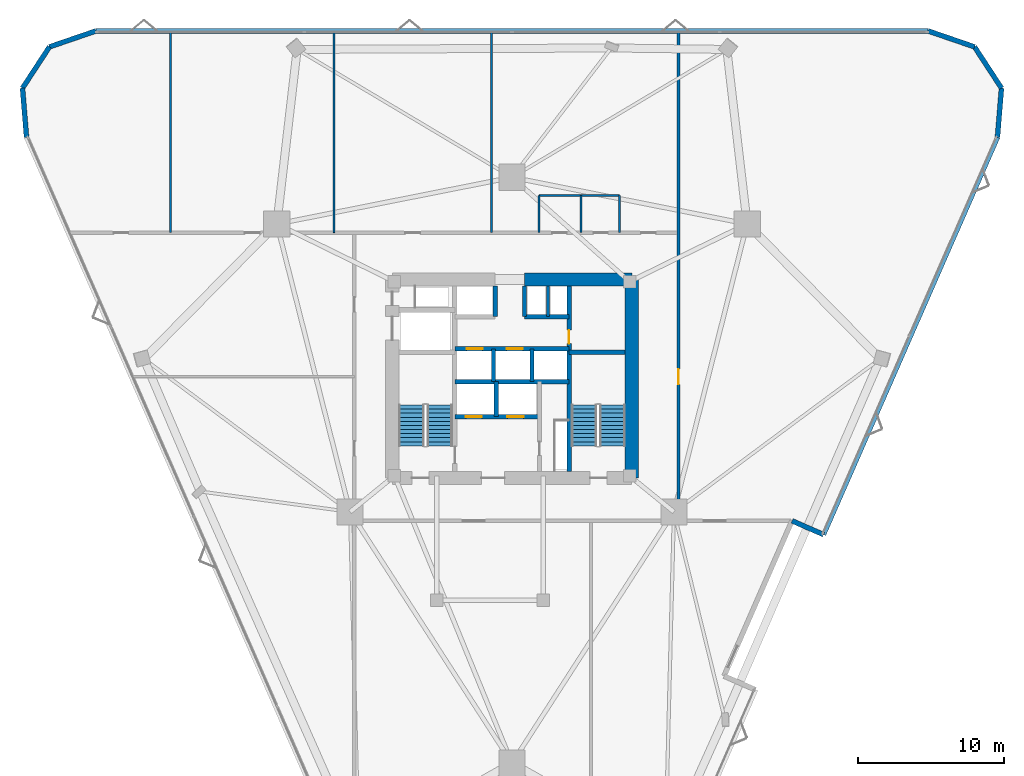
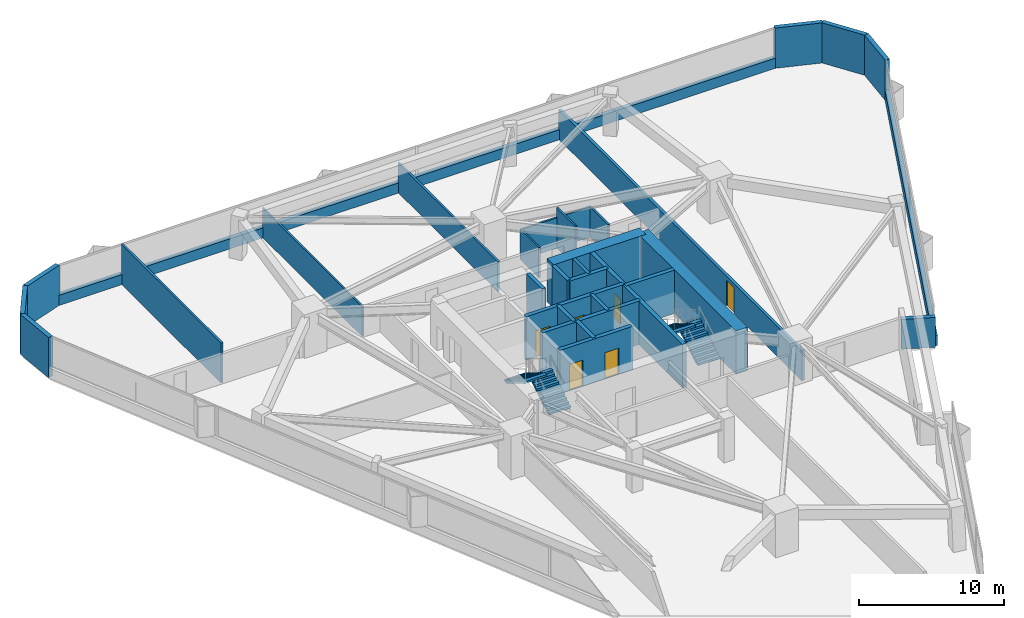
# One storey, part 13 of 14: 31 walls, 6 doors, 4 stair flights, 6 openings, 2 elements without a shape of their own.
"""IFC4 building model written with IfcOpenShell, lengths in metres."""

from ifc_helpers import new_model, si_unit, direction, frame, frame_2d, origin, place, context, subcontext, project, spatial, polyline, rectangle, outline, extrude, material, layer, layer_set, type_object, element, fill, aggregate, save


model = new_model("IFC4")

# Units and contexts
model_context = context("Model", 3, precision=1e-05, world=origin(), true_north=direction((0.0, 1.0)))
body_context = subcontext(model_context, "Body", "Model", "MODEL_VIEW")
ifc_project = project(units=[si_unit("LENGTHUNIT", "METRE"), si_unit("AREAUNIT", "SQUARE_METRE"), si_unit("VOLUMEUNIT", "CUBIC_METRE"), si_unit("PLANEANGLEUNIT", "RADIAN"), si_unit("MASSUNIT", "GRAM", prefix="KILO")], contexts=[model_context])

# Site, building, storey
site_placement = place(None, origin())
site = spatial("IfcSite", under=ifc_project, at=site_placement, CompositionType="ELEMENT")
building_placement = place(site_placement, origin())
building = spatial("IfcBuilding", under=site, at=building_placement, Name="Talyreon Biosciences Tower", CompositionType="ELEMENT")
storey_placement = place(building_placement, frame((0.0, 0.0, 48.35009765625)))
storey = spatial("IfcBuildingStorey", under=building, at=storey_placement, Name="L12", CompositionType="ELEMENT", Elevation=48.35009765625)

# Walls
ifc_material_1 = material(Name="Concrete C50/60", Category="concrete")
ifc_layer_1 = layer(ifc_material_1, 0.219970703125)
ifc_layer_set_1 = layer_set([ifc_layer_1], Name="Concrete C50/60")
wall_type_1 = type_object("IfcWallType", Name="CoreShearWall_220", PredefinedType="SHEAR", material=ifc_layer_set_1)
wall_1_placement = place(storey_placement, frame((68.4599609375, 72.25, 0.0), z_axis=(0.0, 0.0, 1.0), x_axis=(0.0, 1.0, 0.0)))
element("IfcWall", 1, at=wall_1_placement, inside=storey, type_object=wall_type_1, Name="L12 Core Shaft Wall SWPHD", PredefinedType="SHEAR", context=body_context, shape_type="SweptSolid", body=[
    extrude(rectangle(XDim=2.10009765625, YDim=0.219970703125, at=frame_2d((1.050048828125, 0.0))), origin(), (0.0, 0.0, 1.0), 3.64990234375),
])
ifc_layer_2 = layer(ifc_material_1, 0.280029296875)
ifc_layer_set_2 = layer_set([ifc_layer_2], Name="Concrete C50/60")
wall_type_2 = type_object("IfcWallType", Name="CoreShearWall_280", PredefinedType="SHEAR", material=ifc_layer_set_2)
wall_2_placement = place(storey_placement, frame((64.919921875, 65.39990234375, 0.0), z_axis=(0.0, 0.0, 1.0), x_axis=(0.0, 1.0, 0.0)))
element("IfcWall", 2, at=wall_2_placement, inside=storey, type_object=wall_type_2, Name="L12 Core Shaft Wall SWSHD1", PredefinedType="SHEAR", context=body_context, shape_type="SweptSolid", body=[
    extrude(rectangle(XDim=2.400146484375, YDim=0.280029296875, at=frame_2d((1.2001953125, 0.0))), origin(), (0.0, 0.0, 1.0), 3.64990234375),
])
for number, where, z_axis, x_axis, name in (
    (3, (64.85009765625, 72.25, 0.0), (0.0, 0.0, 1.0), (0.0, 1.0, 0.0), "L12 Core Shaft Wall SWTHW"),
    (4, (66.85009765625, 72.25, 0.0), (0.0, 0.0, 1.0), (0.0, 1.0, 0.0), "L12 Core Shaft Wall SWTHE"),
):
    element("IfcWall", number, at=place(storey_placement, frame(where, z_axis=z_axis, x_axis=x_axis)), inside=storey, type_object=wall_type_2, Name=name, PredefinedType="SHEAR", context=body_context, shape_type="SweptSolid", body=[
        extrude(rectangle(XDim=2.10009765625, YDim=0.280029296875, at=frame_2d((1.050048828125, 0.0))), origin(), (0.0, 0.0, 1.0), 3.64990234375),
    ])
for number, where, z_axis, x_axis, name in (
    (5, (64.719970703125, 67.800048828125, 0.0), (0.0, 0.0, 1.0), (0.0, 1.0, 0.0), "L12 Core Shaft Wall SWPLD"),
    (6, (67.3798828125, 67.800048828125, 0.0), (0.0, 0.0, 1.0), (0.0, 1.0, 0.0), "L12 Core Shaft Wall SWPMD"),
):
    element("IfcWall", number, at=place(storey_placement, frame(where, z_axis=z_axis, x_axis=x_axis)), inside=storey, type_object=wall_type_2, Name=name, PredefinedType="SHEAR", context=body_context, shape_type="SweptSolid", body=[
        extrude(rectangle(XDim=2.25, YDim=0.280029296875, at=frame_2d((1.125, 0.0))), origin(), (0.0, 0.0, 1.0), 3.64990234375),
    ])

# Wall, opening, door
ifc_layer_3 = layer(ifc_material_1, 0.320068359375)
ifc_layer_set_3 = layer_set([ifc_layer_3], Name="Concrete C50/60")
wall_type_3 = type_object("IfcWallType", Name="CoreShearWall_320", PredefinedType="SHEAR", material=ifc_layer_set_3)
wall_3_placement = place(storey_placement, frame((69.909912109375, 61.64990234375, 0.0), z_axis=(0.0, 0.0, 1.0), x_axis=(0.0, 1.0, 0.0)))
wall_3 = element("IfcWall", 7, at=wall_3_placement, inside=storey, type_object=wall_type_3, Name="L12 Core Shaft Wall SW2W", PredefinedType="SHEAR", context=body_context, shape_type="SweptSolid", body=[
    extrude(rectangle(XDim=12.7001953125, YDim=0.320068359375, at=frame_2d((6.35009765625, 0.0))), origin(), (0.0, 0.0, 1.0), 3.64990234375),
])
opening_1_placement = place(wall_3_placement, frame((8.75, 0.0, 0.0)))
opening_1 = element("IfcOpeningElement", 8, at=opening_1_placement, cuts=wall_3, Name="Opening DR-L12-CSRV", PredefinedType="OPENING", context=body_context, shape_type="SweptSolid", body=[
    extrude(rectangle(XDim=0.919921875, YDim=2.050048828125, at=frame_2d((0.4599609375, 1.02490234375))), frame((0.0, 0.169921875, 0.0), z_axis=(0.0, -1.0, 0.0), x_axis=(1.0, 0.0, 0.0)), (0.0, 0.0, 1.0), 0.340087890625),
])
ifc_material_2 = material(Name="Painted steel fire-rated riser door", Category="steel")
door_type_1 = type_object("IfcDoorType", Name="RiserPlantAccessDoor_920x2050", OperationType="NOTDEFINED", PredefinedType="DOOR", material=ifc_material_2)
door_1_placement = place(opening_1_placement, origin())
door_1 = element("IfcDoor", 9, at=door_1_placement, inside=storey, type_object=door_type_1, Name="L12 Core Door DR-L12-CSRV", OperationType="SINGLE_SWING_RIGHT", OverallHeight=2.050048828125, OverallWidth=0.919921875, PredefinedType="DOOR", context=body_context, shape_type="SweptSolid", body=[
    extrude(rectangle(XDim=0.919921875, YDim=2.050048828125, at=frame_2d((0.4599609375, 1.02490234375))), frame((0.0, 0.02490234375, 0.0), z_axis=(0.0, -1.0, 0.0), x_axis=(1.0, 0.0, 0.0)), (0.0, 0.0, 1.0), 0.050048828125),
])
fill(opening_1, door_1)

# Walls
wall_4_placement = place(storey_placement, frame((69.909912109375, 69.81005859375, 0.0), z_axis=(0.0, 0.0, 1.0), x_axis=(1.0, 0.0, 0.0)))
element("IfcWall", 10, at=wall_4_placement, inside=storey, type_object=wall_type_3, Name="L12 Core Shaft Wall SW2N", PredefinedType="SHEAR", context=body_context, shape_type="SweptSolid", body=[
    extrude(rectangle(XDim=3.840087890625, YDim=0.320068359375, at=frame_2d((1.919921875, 0.0))), origin(), (0.0, 0.0, 1.0), 3.64990234375),
])
wall_5_placement = place(storey_placement, frame((62.090087890625, 67.800048828125, 0.0), z_axis=(0.0, 0.0, 1.0), x_axis=(1.0, 0.0, 0.0)))
element("IfcWall", 11, at=wall_5_placement, inside=storey, type_object=wall_type_3, Name="L12 Core Shaft Wall SWSHM", PredefinedType="SHEAR", context=body_context, shape_type="SweptSolid", body=[
    extrude(rectangle(XDim=7.81982421875, YDim=0.320068359375, at=frame_2d((3.909912109375, 0.0))), origin(), (0.0, 0.0, 1.0), 3.64990234375),
])

# Wall, openings, doors
wall_6_placement = place(storey_placement, frame((62.090087890625, 70.050048828125, 0.0), z_axis=(0.0, 0.0, 1.0), x_axis=(1.0, 0.0, 0.0)))
wall_6 = element("IfcWall", 12, at=wall_6_placement, inside=storey, type_object=wall_type_3, Name="L12 Core Shaft Wall SWSPN", PredefinedType="SHEAR", context=body_context, shape_type="SweptSolid", body=[
    extrude(rectangle(XDim=7.81982421875, YDim=0.320068359375, at=frame_2d((3.909912109375, 0.0))), origin(), (0.0, 0.0, 1.0), 3.64990234375),
])
opening_2_placement = place(wall_6_placement, frame((0.800048828125, 0.0, 0.0)))
opening_2 = element("IfcOpeningElement", 13, at=opening_2_placement, cuts=wall_6, Name="Opening LD-L12-PL1", PredefinedType="OPENING", context=body_context, shape_type="SweptSolid", body=[
    extrude(rectangle(XDim=1.10009765625, YDim=2.199951171875, at=frame_2d((0.550048828125, 1.10009765625))), frame((0.0, 0.169921875, 0.0), z_axis=(0.0, -1.0, 0.0), x_axis=(1.0, 0.0, 0.0)), (0.0, 0.0, 1.0), 0.340087890625),
])
opening_3_placement = place(wall_6_placement, frame((3.550048828125, 0.0, 0.0)))
opening_3 = element("IfcOpeningElement", 14, at=opening_3_placement, cuts=wall_6, Name="Opening LD-L12-PL2", PredefinedType="OPENING", context=body_context, shape_type="SweptSolid", body=[
    extrude(rectangle(XDim=1.10009765625, YDim=2.199951171875, at=frame_2d((0.550048828125, 1.10009765625))), frame((0.0, 0.169921875, 0.0), z_axis=(0.0, -1.0, 0.0), x_axis=(1.0, 0.0, 0.0)), (0.0, 0.0, 1.0), 0.340087890625),
])
ifc_material_3 = material(Name="Brushed stainless-steel lift landing door", Category="steel")
door_type_2 = type_object("IfcDoorType", Name="LiftSlidingLandingDoor_1100x2200", OperationType="SLIDING_TO_LEFT", PredefinedType="DOOR", material=ifc_material_3)
door_2_placement = place(opening_2_placement, origin())
door_2 = element("IfcDoor", 15, at=door_2_placement, inside=storey, type_object=door_type_2, Name="L12 Core Door LD-L12-PL1", OperationType="SLIDING_TO_LEFT", OverallHeight=2.199951171875, OverallWidth=1.10009765625, PredefinedType="DOOR", context=body_context, shape_type="SweptSolid", body=[
    extrude(rectangle(XDim=1.10009765625, YDim=2.199951171875, at=frame_2d((0.550048828125, 1.10009765625))), frame((0.0, 0.02490234375, 0.0), z_axis=(0.0, -1.0, 0.0), x_axis=(1.0, 0.0, 0.0)), (0.0, 0.0, 1.0), 0.050048828125),
])
fill(opening_2, door_2)
door_3_placement = place(opening_3_placement, origin())
door_3 = element("IfcDoor", 16, at=door_3_placement, inside=storey, type_object=door_type_2, Name="L12 Core Door LD-L12-PL2", OperationType="SLIDING_TO_LEFT", OverallHeight=2.199951171875, OverallWidth=1.10009765625, PredefinedType="DOOR", context=body_context, shape_type="SweptSolid", body=[
    extrude(rectangle(XDim=1.10009765625, YDim=2.199951171875, at=frame_2d((0.550048828125, 1.10009765625))), frame((0.0, 0.02490234375, 0.0), z_axis=(0.0, -1.0, 0.0), x_axis=(1.0, 0.0, 0.0)), (0.0, 0.0, 1.0), 0.050048828125),
])
fill(opening_3, door_3)

# Wall
wall_7_placement = place(storey_placement, frame((66.85009765625, 72.25, 0.0), z_axis=(0.0, 0.0, 1.0), x_axis=(1.0, 0.0, 0.0)))
element("IfcWall", 17, at=wall_7_placement, inside=storey, type_object=wall_type_3, Name="L12 Core Shaft Wall SWNPE", PredefinedType="SHEAR", context=body_context, shape_type="SweptSolid", body=[
    extrude(rectangle(XDim=3.059814453125, YDim=0.320068359375, at=frame_2d((1.52978515625, 0.0))), origin(), (0.0, 0.0, 1.0), 3.64990234375),
])

# Wall, openings, doors
wall_8_placement = place(storey_placement, frame((62.090087890625, 65.39990234375, 0.0), z_axis=(0.0, 0.0, 1.0), x_axis=(1.0, 0.0, 0.0)))
wall_8 = element("IfcWall", 18, at=wall_8_placement, inside=storey, type_object=wall_type_3, Name="L12 Core Shaft Wall SWFFN", PredefinedType="SHEAR", context=body_context, shape_type="SweptSolid", body=[
    extrude(rectangle(XDim=5.789794921875, YDim=0.320068359375, at=frame_2d((2.89501953125, 0.0))), origin(), (0.0, 0.0, 1.0), 3.64990234375),
])
opening_4_placement = place(wall_8_placement, frame((0.75, 0.0, 0.0)))
opening_4 = element("IfcOpeningElement", 19, at=opening_4_placement, cuts=wall_8, Name="Opening LD-L12-FL1", PredefinedType="OPENING", context=body_context, shape_type="SweptSolid", body=[
    extrude(rectangle(XDim=1.10009765625, YDim=2.199951171875, at=frame_2d((0.550048828125, 1.10009765625))), frame((0.0, 0.169921875, 0.0), z_axis=(0.0, -1.0, 0.0), x_axis=(1.0, 0.0, 0.0)), (0.0, 0.0, 1.0), 0.340087890625),
])
opening_5_placement = place(wall_8_placement, frame((3.60009765625, 0.0, 0.0)))
opening_5 = element("IfcOpeningElement", 20, at=opening_5_placement, cuts=wall_8, Name="Opening LD-L12-FL2", PredefinedType="OPENING", context=body_context, shape_type="SweptSolid", body=[
    extrude(rectangle(XDim=1.10009765625, YDim=2.199951171875, at=frame_2d((0.550048828125, 1.10009765625))), frame((0.0, 0.169921875, 0.0), z_axis=(0.0, -1.0, 0.0), x_axis=(1.0, 0.0, 0.0)), (0.0, 0.0, 1.0), 0.340087890625),
])
door_4_placement = place(opening_4_placement, origin())
door_4 = element("IfcDoor", 21, at=door_4_placement, inside=storey, type_object=door_type_2, Name="L12 Core Door LD-L12-FL1", OperationType="SLIDING_TO_LEFT", OverallHeight=2.199951171875, OverallWidth=1.10009765625, PredefinedType="DOOR", context=body_context, shape_type="SweptSolid", body=[
    extrude(rectangle(XDim=1.10009765625, YDim=2.199951171875, at=frame_2d((0.550048828125, 1.10009765625))), frame((0.0, 0.02490234375, 0.0), z_axis=(0.0, -1.0, 0.0), x_axis=(1.0, 0.0, 0.0)), (0.0, 0.0, 1.0), 0.050048828125),
])
fill(opening_4, door_4)
door_5_placement = place(opening_5_placement, origin())
door_5 = element("IfcDoor", 22, at=door_5_placement, inside=storey, type_object=door_type_2, Name="L12 Core Door LD-L12-FL2", OperationType="SLIDING_TO_LEFT", OverallHeight=2.199951171875, OverallWidth=1.10009765625, PredefinedType="DOOR", context=body_context, shape_type="SweptSolid", body=[
    extrude(rectangle(XDim=1.10009765625, YDim=2.199951171875, at=frame_2d((0.550048828125, 1.10009765625))), frame((0.0, 0.02490234375, 0.0), z_axis=(0.0, -1.0, 0.0), x_axis=(1.0, 0.0, 0.0)), (0.0, 0.0, 1.0), 0.050048828125),
])
fill(opening_5, door_5)

# Walls
ifc_material_4 = material(Name="Concrete C60/75", Category="concrete")
ifc_layer_4 = layer(ifc_material_4, 0.89990234375)
ifc_layer_set_4 = layer_set([ifc_layer_4], Name="Concrete C60/75")
wall_type_4 = type_object("IfcWallType", Name="CoreShearWall_900", PredefinedType="SHEAR", material=ifc_layer_set_4)
wall_9_placement = place(storey_placement, frame((74.199951171875, 61.199951171875, 0.0), z_axis=(0.0, 0.0, 1.0), x_axis=(0.0, 1.0, 0.0)))
element("IfcWall", 23, at=wall_9_placement, inside=storey, type_object=wall_type_4, Name="L12 Core Shear Wall E", PredefinedType="SHEAR", context=body_context, shape_type="SweptSolid", body=[
    extrude(rectangle(XDim=13.60009765625, YDim=0.89990234375, at=frame_2d((6.800048828125, 0.0))), origin(), (0.0, 0.0, 1.0), 3.64990234375),
])
wall_10_placement = place(storey_placement, frame((74.199951171875, 74.800048828125, 0.0), z_axis=(0.0, 0.0, 1.0), x_axis=(-1.0, 0.0, 0.0)))
element("IfcWall", 24, at=wall_10_placement, inside=storey, type_object=wall_type_4, Name="L12 Core Shear Wall NE", PredefinedType="SHEAR", context=body_context, shape_type="SweptSolid", body=[
    extrude(rectangle(XDim=7.349853515625, YDim=0.89990234375, at=frame_2d((3.6748046875, 0.0))), origin(), (0.0, 0.0, 1.0), 3.64990234375),
])

# Wall, opening, door
ifc_material_5 = material(Name="Gypsum fireboard acoustic stud", Category="gypsum")
ifc_layer_5 = layer(ifc_material_5, 0.219970703125)
ifc_layer_set_5 = layer_set([ifc_layer_5], Name="Gypsum fireboard acoustic stud")
wall_type_5 = type_object("IfcWallType", Name="CorridorRatedPartition_220", PredefinedType="PARTITIONING", material=ifc_layer_set_5)
wall_11_placement = place(storey_placement, frame((77.39990234375, 58.280029296875, 0.0), z_axis=(0.0, 0.0, 1.0), x_axis=(0.0, 1.0, 0.0)))
wall_11 = element("IfcWall", 25, at=wall_11_placement, inside=storey, type_object=wall_type_5, Name="L12 Interior Wall IW-L12-COR-E", PredefinedType="PARTITIONING", context=body_context, shape_type="SweptSolid", body=[
    extrude(rectangle(XDim=33.45556640625, YDim=0.219970703125, at=frame_2d((16.727783203125, 0.0))), origin(), (0.0, 0.0, 1.0), 2.5048828125),
])
opening_6_placement = place(wall_11_placement, frame((9.3349609375, 0.0, 0.0)))
opening_6 = element("IfcOpeningElement", 26, at=opening_6_placement, cuts=wall_11, Name="Opening DR-L12-E1A", PredefinedType="OPENING", context=body_context, shape_type="SweptSolid", body=[
    extrude(rectangle(XDim=1.050048828125, YDim=2.14990234375, at=frame_2d((0.52490234375, 1.074951171875))), frame((0.0, 0.119873046875, 0.0), z_axis=(0.0, -1.0, 0.0), x_axis=(1.0, 0.0, 0.0)), (0.0, 0.0, 1.0), 0.239990234375),
])
ifc_material_6 = material(Name="Acoustic timber-core laboratory door", Category="wood")
door_type_3 = type_object("IfcDoorType", Name="DryLabSingleDoor_1050x2150", OperationType="NOTDEFINED", PredefinedType="DOOR", material=ifc_material_6)
door_6_placement = place(opening_6_placement, origin())
door_6 = element("IfcDoor", 27, at=door_6_placement, inside=storey, type_object=door_type_3, Name="L12 Interior Door DR-L12-E1A", OperationType="SINGLE_SWING_RIGHT", OverallHeight=2.14990234375, OverallWidth=1.050048828125, PredefinedType="DOOR", context=body_context, shape_type="SweptSolid", body=[
    extrude(rectangle(XDim=1.050048828125, YDim=2.14990234375, at=frame_2d((0.52490234375, 1.074951171875))), frame((0.0, 0.02490234375, 0.0), z_axis=(0.0, -1.0, 0.0), x_axis=(1.0, 0.0, 0.0)), (0.0, 0.0, 1.0), 0.050048828125),
])
fill(opening_6, door_6)

# Walls
ifc_material_7 = material(Name="Gypsum acoustic stud partition", Category="gypsum")
ifc_layer_6 = layer(ifc_material_7, 0.159912109375)
ifc_layer_set_6 = layer_set([ifc_layer_6], Name="Gypsum acoustic stud partition")
wall_type_6 = type_object("IfcWallType", Name="LabSeparationPartition_160", PredefinedType="PARTITIONING", material=ifc_layer_set_6)
wall_12_placement = place(storey_placement, frame((42.616943359375, 78.0, 0.0), z_axis=(0.0, 0.0, 1.0), x_axis=(0.0, 1.0, 0.0)))
element("IfcWall", 28, at=wall_12_placement, inside=storey, type_object=wall_type_6, Name="L12 Interior Wall IW-L12-NDIV1", PredefinedType="PARTITIONING", context=body_context, shape_type="SweptSolid", body=[
    extrude(rectangle(XDim=13.735595703125, YDim=0.159912109375, at=frame_2d((6.86767578125, 0.0))), origin(), (0.0, 0.0, 1.0), 3.375),
])
wall_13_placement = place(storey_placement, frame((64.60009765625, 78.0, 0.0), z_axis=(0.0, 0.0, 1.0), x_axis=(0.0, 1.0, 0.0)))
element("IfcWall", 29, at=wall_13_placement, inside=storey, type_object=wall_type_6, Name="L12 Interior Wall IW-L12-NDIV3", PredefinedType="PARTITIONING", context=body_context, shape_type="SweptSolid", body=[
    extrude(rectangle(XDim=13.735595703125, YDim=0.159912109375, at=frame_2d((6.86767578125, 0.0))), origin(), (0.0, 0.0, 1.0), 2.5048828125),
])
ifc_layer_7 = layer(ifc_material_7, 0.1298828125)
ifc_layer_set_7 = layer_set([ifc_layer_7], Name="Gypsum acoustic stud partition")
wall_type_7 = type_object("IfcWallType", Name="OfficeWriteupPartition_130", PredefinedType="PARTITIONING", material=ifc_layer_set_7)
wall_14_placement = place(storey_placement, frame((53.81103515625, 78.0, 0.0), z_axis=(0.0, 0.0, 1.0), x_axis=(0.0, 1.0, 0.0)))
element("IfcWall", 30, at=wall_14_placement, inside=storey, type_object=wall_type_7, Name="L12 Interior Wall IW-L12-NDIV2", PredefinedType="PARTITIONING", context=body_context, shape_type="SweptSolid", body=[
    extrude(rectangle(XDim=13.735595703125, YDim=0.1298828125, at=frame_2d((6.86767578125, 0.0))), origin(), (0.0, 0.0, 1.0), 2.5048828125),
])
ifc_material_8 = material(Name="Precast concrete C45/55", Category="concrete")
ifc_layer_8 = layer(ifc_material_8, 0.340087890625)
ifc_layer_set_8 = layer_set([ifc_layer_8], Name="Precast concrete C45/55")
wall_type_8 = type_object("IfcWallType", Name="PrecastConcreteSpandrelWall_340", PredefinedType="STANDARD", material=ifc_layer_set_8)
wall_15_placement = place(storey_placement, frame((32.755859375, 84.534912109375, 0.0), z_axis=(0.0, 0.0, 1.0), x_axis=(-0.082010022953, 0.996631504687, 0.0)))
element("IfcWall", 31, at=wall_15_placement, inside=storey, type_object=wall_type_8, Name="L12 Rounded-Corner Concrete Pier 00", PredefinedType="STANDARD", context=body_context, shape_type="SweptSolid", body=[
    extrude(rectangle(XDim=3.3759765625, YDim=0.340087890625, at=frame_2d((1.68798828125, 0.0))), origin(), (0.0, 0.0, 1.0), 3.375),
])
wall_16_placement = place(storey_placement, frame((32.47900390625, 87.8994140625, 0.0), z_axis=(0.0, 0.0, 1.0), x_axis=(0.547200646652, 0.837001464935, 0.0)))
element("IfcWall", 32, at=wall_16_placement, inside=storey, type_object=wall_type_8, Name="L12 Rounded-Corner Concrete Pier 01", PredefinedType="STANDARD", context=body_context, shape_type="SweptSolid", body=[
    extrude(rectangle(XDim=3.375732421875, YDim=0.340087890625, at=frame_2d((1.68798828125, 0.0))), origin(), (0.0, 0.0, 1.0), 3.375),
])
wall_17_placement = place(storey_placement, frame((34.326171875, 90.724853515625, 0.0), z_axis=(0.0, 0.0, 1.0), x_axis=(0.945840034207, 0.324633069314, 0.0)))
element("IfcWall", 33, at=wall_17_placement, inside=storey, type_object=wall_type_8, Name="L12 Rounded-Corner Concrete Pier 02", PredefinedType="STANDARD", context=body_context, shape_type="SweptSolid", body=[
    extrude(rectangle(XDim=3.3759765625, YDim=0.340087890625, at=frame_2d((1.68798828125, 0.0))), origin(), (0.0, 0.0, 1.0), 3.375),
])
wall_18_placement = place(storey_placement, frame((37.519287109375, 91.82080078125, 0.0), z_axis=(0.0, 0.0, 1.0), x_axis=(1.0, 0.0, 0.0)))
element("IfcWall", 34, at=wall_18_placement, inside=storey, type_object=wall_type_8, Name="L12 Expressed Concrete Sill Wall 03", PredefinedType="STANDARD", context=body_context, shape_type="SweptSolid", body=[
    extrude(rectangle(XDim=56.96142578125, YDim=0.340087890625, at=frame_2d((28.480712890625, 0.0))), origin(), (0.0, 0.0, 1.0), 0.849853515625),
])
wall_19_placement = place(storey_placement, frame((94.480712890625, 91.82080078125, 0.0), z_axis=(0.0, 0.0, 1.0), x_axis=(0.945840034207, -0.324633069314, 0.0)))
element("IfcWall", 35, at=wall_19_placement, inside=storey, type_object=wall_type_8, Name="L12 Rounded-Corner Concrete Pier 04", PredefinedType="STANDARD", context=body_context, shape_type="SweptSolid", body=[
    extrude(rectangle(XDim=3.3759765625, YDim=0.340087890625, at=frame_2d((1.68798828125, 0.0))), origin(), (0.0, 0.0, 1.0), 3.375),
])
wall_20_placement = place(storey_placement, frame((97.673828125, 90.724853515625, 0.0), z_axis=(0.0, 0.0, 1.0), x_axis=(0.547200646652, -0.837001464935, 0.0)))
element("IfcWall", 36, at=wall_20_placement, inside=storey, type_object=wall_type_8, Name="L12 Rounded-Corner Concrete Pier 05", PredefinedType="STANDARD", context=body_context, shape_type="SweptSolid", body=[
    extrude(rectangle(XDim=3.375732421875, YDim=0.340087890625, at=frame_2d((1.68798828125, 0.0))), origin(), (0.0, 0.0, 1.0), 3.375),
])
wall_21_placement = place(storey_placement, frame((99.52099609375, 87.8994140625, 0.0), z_axis=(0.0, 0.0, 1.0), x_axis=(-0.082010022953, -0.996631504687, 0.0)))
element("IfcWall", 37, at=wall_21_placement, inside=storey, type_object=wall_type_8, Name="L12 Rounded-Corner Concrete Pier 06", PredefinedType="STANDARD", context=body_context, shape_type="SweptSolid", body=[
    extrude(rectangle(XDim=3.3759765625, YDim=0.340087890625, at=frame_2d((1.68798828125, 0.0))), origin(), (0.0, 0.0, 1.0), 3.375),
])
wall_22_placement = place(storey_placement, frame((99.244140625, 84.534912109375, 0.0), z_axis=(0.0, 0.0, 1.0), x_axis=(-0.401102097931, -0.916033354761, 0.0)))
element("IfcWall", 38, at=wall_22_placement, inside=storey, type_object=wall_type_8, Name="L12 Expressed Concrete Sill Wall 07", PredefinedType="STANDARD", context=body_context, shape_type="SweptSolid", body=[
    extrude(rectangle(XDim=29.703369140625, YDim=0.340087890625, at=frame_2d((14.8515625, 0.0))), origin(), (0.0, 0.0, 1.0), 0.849853515625),
])
wall_23_placement = place(storey_placement, frame((87.330078125, 57.32568359375, 0.0), z_axis=(0.0, 0.0, 1.0), x_axis=(-0.916059542308, 0.401042285733, 0.0)))
element("IfcWall", 39, at=wall_23_placement, inside=storey, type_object=wall_type_8, Name="L12 Terrace Backing Concrete Wall 08", PredefinedType="STANDARD", context=body_context, shape_type="SweptSolid", body=[
    extrude(rectangle(XDim=2.349853515625, YDim=0.340087890625, at=frame_2d((1.1748046875, 0.0))), origin(), (0.0, 0.0, 1.0), 2.5048828125),
])
ifc_material_9 = material(Name="Moisture-resistant cement-board stud", Category="gypsum")
ifc_layer_9 = layer(ifc_material_9, 0.14501953125)
ifc_layer_set_9 = layer_set([ifc_layer_9], Name="Moisture-resistant cement-board stud")
wall_type_9 = type_object("IfcWallType", Name="WetRoomPartition_145", PredefinedType="PARTITIONING", material=ifc_layer_set_9)
wall_24_placement = place(storey_placement, frame((67.85009765625, 78.0, 0.0), z_axis=(0.0, 0.0, 1.0), x_axis=(0.0, 1.0, 0.0)))
element("IfcWall", 40, at=wall_24_placement, inside=storey, type_object=wall_type_9, Name="L12 Interior Wall IW-L12-WCL", PredefinedType="PARTITIONING", context=body_context, shape_type="SweptSolid", body=[
    extrude(rectangle(XDim=2.550048828125, YDim=0.14501953125, at=frame_2d((1.27490234375, 0.0))), origin(), (0.0, 0.0, 1.0), 2.554931640625),
])
wall_25_placement = place(storey_placement, frame((70.72509765625, 78.0, 0.0), z_axis=(0.0, 0.0, 1.0), x_axis=(0.0, 1.0, 0.0)))
element("IfcWall", 41, at=wall_25_placement, inside=storey, type_object=wall_type_9, Name="L12 Interior Wall IW-L12-WCM", PredefinedType="PARTITIONING", context=body_context, shape_type="SweptSolid", body=[
    extrude(rectangle(XDim=2.550048828125, YDim=0.14501953125, at=frame_2d((1.27490234375, 0.0))), origin(), (0.0, 0.0, 1.0), 3.375),
])
wall_26_placement = place(storey_placement, frame((73.35009765625, 78.0, 0.0), z_axis=(0.0, 0.0, 1.0), x_axis=(0.0, 1.0, 0.0)))
element("IfcWall", 42, at=wall_26_placement, inside=storey, type_object=wall_type_9, Name="L12 Interior Wall IW-L12-WCR", PredefinedType="PARTITIONING", context=body_context, shape_type="SweptSolid", body=[
    extrude(rectangle(XDim=2.550048828125, YDim=0.14501953125, at=frame_2d((1.27490234375, 0.0))), origin(), (0.0, 0.0, 1.0), 2.554931640625),
])
wall_27_placement = place(storey_placement, frame((67.85009765625, 80.550048828125, 0.0), z_axis=(0.0, 0.0, 1.0), x_axis=(1.0, 0.0, 0.0)))
element("IfcWall", 43, at=wall_27_placement, inside=storey, type_object=wall_type_9, Name="L12 Interior Wall IW-L12-WCT", PredefinedType="PARTITIONING", context=body_context, shape_type="SweptSolid", body=[
    extrude(rectangle(XDim=5.5, YDim=0.14501953125, at=frame_2d((2.75, 0.0))), origin(), (0.0, 0.0, 1.0), 2.554931640625),
])

# Stair, stair flights
ifc_material_10 = material(Name="Concrete C40/50", Category="concrete")
stair_type = type_object("IfcStairType", Name="DoglegEscapeStair_3650", PredefinedType="HALF_TURN_STAIR", material=ifc_material_10)
stair_1_placement = place(storey_placement, origin())
stair_1 = element("IfcStair", 44, at=stair_1_placement, inside=storey, type_object=stair_type, Name="L12 Core Escape Stair 1", PredefinedType="HALF_TURN_STAIR")
stair_flight_type = type_object("IfcStairFlightType", Name="PrecastStairFlight_3650", PredefinedType="STRAIGHT", material=ifc_material_10)
stair_flight_1_placement = place(storey_placement, frame((61.06005859375, 63.39990234375, 0.0), z_axis=(0.0, 0.0, 1.0), x_axis=(0.0, 1.0, 0.0)))
stair_flight_1 = element("IfcStairFlight", 45, at=stair_flight_1_placement, type_object=stair_flight_type, Name="ST-1 flight 1", NumberOfRisers=11, NumberOfTreads=10, PredefinedType="STRAIGHT", RiserHeight=0.165909091, TreadLength=0.28, context=body_context, shape_type="SweptSolid", body=[
    extrude(outline(polyline([(0.0, 0.0), (0.0, 0.166015625), (0.280029296875, 0.166015625), (0.280029296875, 0.331787109375), (0.56005859375, 0.331787109375), (0.56005859375, 0.497802734375), (0.840087890625, 0.497802734375), (0.840087890625, 0.66357421875), (1.1201171875, 0.66357421875), (1.1201171875, 0.82958984375), (1.39990234375, 0.82958984375), (1.39990234375, 0.995361328125), (1.679931640625, 0.995361328125), (1.679931640625, 1.161376953125), (1.9599609375, 1.161376953125), (1.9599609375, 1.327392578125), (2.239990234375, 1.327392578125), (2.239990234375, 1.4931640625), (2.52001953125, 1.4931640625), (2.52001953125, 1.6591796875), (2.800048828125, 1.6591796875), (2.800048828125, 1.824951171875), (2.800048828125, 1.48486328125), (0.2939453125, 0.0), (0.0, 0.0)])), frame((0.0, 0.8701171875, 0.0), z_axis=(0.0, -1.0, 0.0), x_axis=(1.0, 0.0, 0.0)), (0.0, 0.0, 1.0), 1.739990234375),
])
stair_flight_2_placement = place(storey_placement, frame((59.1201171875, 66.199951171875, 1.824951171875), z_axis=(0.0, 0.0, 1.0), x_axis=(0.0, -1.0, 0.0)))
stair_flight_2 = element("IfcStairFlight", 46, at=stair_flight_2_placement, type_object=stair_flight_type, Name="ST-1 flight 2", NumberOfRisers=11, NumberOfTreads=10, PredefinedType="STRAIGHT", RiserHeight=0.165909091, TreadLength=0.28, context=body_context, shape_type="SweptSolid", body=[
    extrude(outline(polyline([(0.0, 0.0), (0.0, 0.166015625), (0.280029296875, 0.166015625), (0.280029296875, 0.331787109375), (0.56005859375, 0.331787109375), (0.56005859375, 0.497802734375), (0.840087890625, 0.497802734375), (0.840087890625, 0.66357421875), (1.1201171875, 0.66357421875), (1.1201171875, 0.82958984375), (1.39990234375, 0.82958984375), (1.39990234375, 0.995361328125), (1.679931640625, 0.995361328125), (1.679931640625, 1.161376953125), (1.9599609375, 1.161376953125), (1.9599609375, 1.327392578125), (2.239990234375, 1.327392578125), (2.239990234375, 1.4931640625), (2.52001953125, 1.4931640625), (2.52001953125, 1.6591796875), (2.800048828125, 1.6591796875), (2.800048828125, 1.824951171875), (2.800048828125, 1.48486328125), (0.2939453125, 0.0), (0.0, 0.0)])), frame((0.0, 0.8701171875, 0.0), z_axis=(0.0, -1.0, 0.0), x_axis=(1.0, 0.0, 0.0)), (0.0, 0.0, 1.0), 1.739990234375),
])
aggregate(stair_1, [stair_flight_1, stair_flight_2])

stair_2_placement = place(storey_placement, origin())
stair_2 = element("IfcStair", 47, at=stair_2_placement, inside=storey, type_object=stair_type, Name="L12 Core Escape Stair 2", PredefinedType="HALF_TURN_STAIR")
stair_flight_3_placement = place(storey_placement, frame((72.8798828125, 63.39990234375, 0.0), z_axis=(0.0, 0.0, 1.0), x_axis=(0.0, 1.0, 0.0)))
stair_flight_3 = element("IfcStairFlight", 48, at=stair_flight_3_placement, type_object=stair_flight_type, Name="ST-2 flight 1", NumberOfRisers=11, NumberOfTreads=10, PredefinedType="STRAIGHT", RiserHeight=0.165909091, TreadLength=0.28, context=body_context, shape_type="SweptSolid", body=[
    extrude(outline(polyline([(0.0, 0.0), (0.0, 0.166015625), (0.280029296875, 0.166015625), (0.280029296875, 0.331787109375), (0.56005859375, 0.331787109375), (0.56005859375, 0.497802734375), (0.840087890625, 0.497802734375), (0.840087890625, 0.66357421875), (1.1201171875, 0.66357421875), (1.1201171875, 0.82958984375), (1.39990234375, 0.82958984375), (1.39990234375, 0.995361328125), (1.679931640625, 0.995361328125), (1.679931640625, 1.161376953125), (1.9599609375, 1.161376953125), (1.9599609375, 1.327392578125), (2.239990234375, 1.327392578125), (2.239990234375, 1.4931640625), (2.52001953125, 1.4931640625), (2.52001953125, 1.6591796875), (2.800048828125, 1.6591796875), (2.800048828125, 1.824951171875), (2.800048828125, 1.48486328125), (0.2939453125, 0.0), (0.0, 0.0)])), frame((0.0, 0.8701171875, 0.0), z_axis=(0.0, -1.0, 0.0), x_axis=(1.0, 0.0, 0.0)), (0.0, 0.0, 1.0), 1.739990234375),
])
stair_flight_4_placement = place(storey_placement, frame((70.93994140625, 66.199951171875, 1.824951171875), z_axis=(0.0, 0.0, 1.0), x_axis=(0.0, -1.0, 0.0)))
stair_flight_4 = element("IfcStairFlight", 49, at=stair_flight_4_placement, type_object=stair_flight_type, Name="ST-2 flight 2", NumberOfRisers=11, NumberOfTreads=10, PredefinedType="STRAIGHT", RiserHeight=0.165909091, TreadLength=0.28, context=body_context, shape_type="SweptSolid", body=[
    extrude(outline(polyline([(0.0, 0.0), (0.0, 0.166015625), (0.280029296875, 0.166015625), (0.280029296875, 0.331787109375), (0.56005859375, 0.331787109375), (0.56005859375, 0.497802734375), (0.840087890625, 0.497802734375), (0.840087890625, 0.66357421875), (1.1201171875, 0.66357421875), (1.1201171875, 0.82958984375), (1.39990234375, 0.82958984375), (1.39990234375, 0.995361328125), (1.679931640625, 0.995361328125), (1.679931640625, 1.161376953125), (1.9599609375, 1.161376953125), (1.9599609375, 1.327392578125), (2.239990234375, 1.327392578125), (2.239990234375, 1.4931640625), (2.52001953125, 1.4931640625), (2.52001953125, 1.6591796875), (2.800048828125, 1.6591796875), (2.800048828125, 1.824951171875), (2.800048828125, 1.48486328125), (0.2939453125, 0.0), (0.0, 0.0)])), frame((0.0, 0.8701171875, 0.0), z_axis=(0.0, -1.0, 0.0), x_axis=(1.0, 0.0, 0.0)), (0.0, 0.0, 1.0), 1.739990234375),
])
aggregate(stair_2, [stair_flight_3, stair_flight_4])

save(model, "model.ifc")
